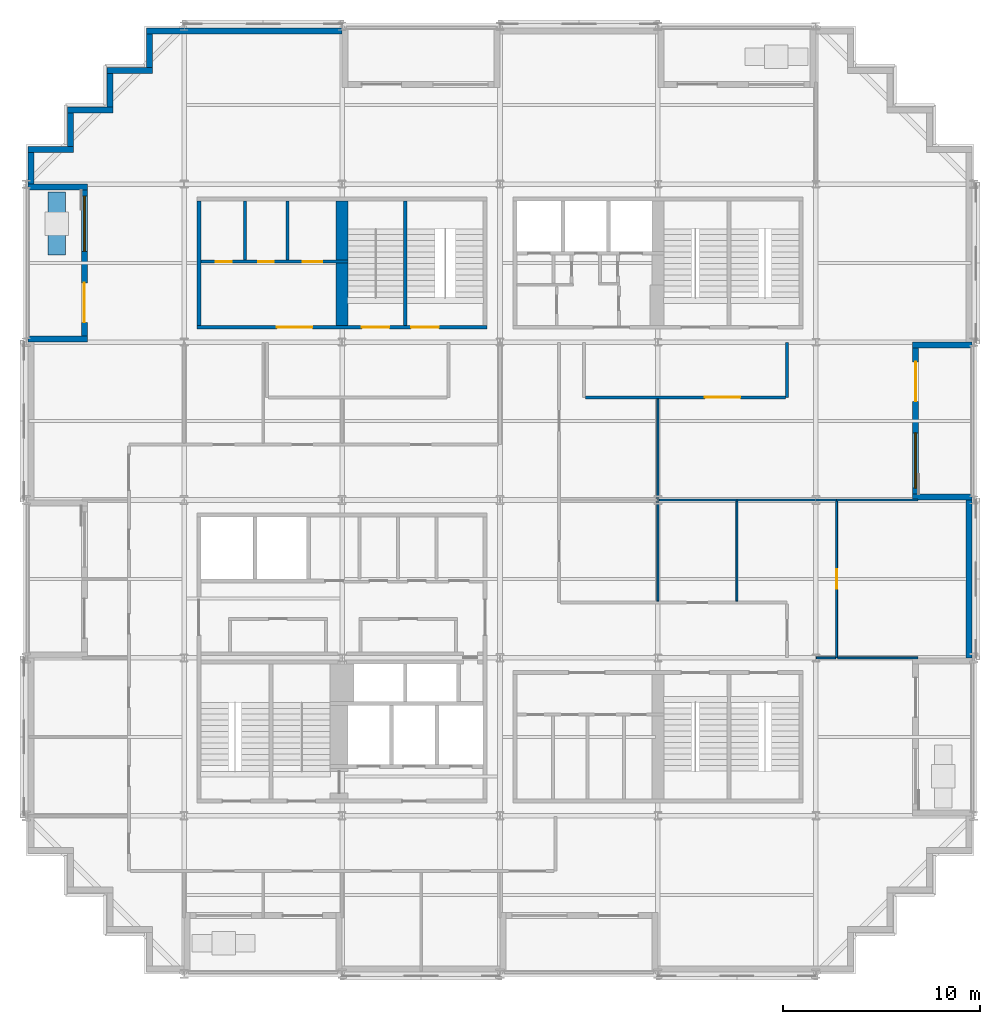
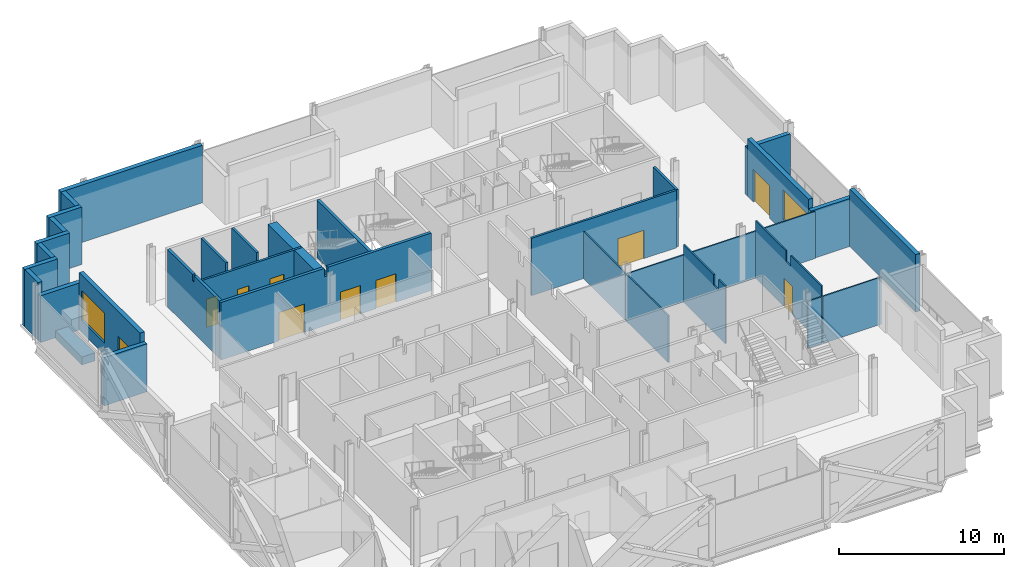
# One storey, part 9 of 15: 35 walls, 10 doors, 2 windows, 12 openings.
"""IFC4 building model written with IfcOpenShell, lengths in metres."""

from ifc_helpers import new_model, si_unit, direction, frame, frame_2d, origin, place, context, subcontext, project, spatial, polyline, rectangle, outline, extrude, material, layer, layer_set, type_object, element, fill, save


model = new_model("IFC4")

# Units and contexts
model_context = context("Model", 3, precision=1e-05, world=origin(), true_north=direction((0.0, 1.0)))
body_context = subcontext(model_context, "Body", "Model", "MODEL_VIEW")
ifc_project = project(units=[si_unit("LENGTHUNIT", "METRE"), si_unit("AREAUNIT", "SQUARE_METRE"), si_unit("VOLUMEUNIT", "CUBIC_METRE"), si_unit("PLANEANGLEUNIT", "RADIAN"), si_unit("MASSUNIT", "GRAM", prefix="KILO")], contexts=[model_context])

# Site, building, storey
site_placement = place(None, origin())
site = spatial("IfcSite", under=ifc_project, at=site_placement, CompositionType="ELEMENT")
building_placement = place(site_placement, origin())
building = spatial("IfcBuilding", under=site, at=building_placement, Name="Immortelle Media Tower", CompositionType="ELEMENT")
storey_placement = place(building_placement, frame((0.0, 0.0, 78.800048828125)))
storey = spatial("IfcBuildingStorey", under=building, at=storey_placement, Name="L14", CompositionType="ELEMENT", Elevation=78.800048828125)

# Wall, openings, doors
ifc_material_1 = material(Name="Fire-rated gypsum board", Category="gypsum")
ifc_layer_1 = layer(ifc_material_1, 0.02490234375)
ifc_material_2 = material(Name="Steel ASTM A653 SS Gr 50 stud frame with mineral wool", Category="steel")
ifc_layer_2 = layer(ifc_material_2, 0.10009765625)
ifc_layer_3 = layer(ifc_material_1, 0.02490234375)
ifc_layer_set_1 = layer_set([ifc_layer_1, ifc_layer_2, ifc_layer_3], Name="Steel ASTM A653 SS Gr 50 stud frame with mineral wool")
wall_type_1 = type_object("IfcWallType", Name="Core partition 150", PredefinedType="PARTITIONING", material=ifc_layer_set_1)
wall_1_placement = place(storey_placement, frame((8.85009765625, 36.074951171875, 0.0), z_axis=(0.0, 0.0, 1.0), x_axis=(1.0, 0.0, 0.0)))
wall_1 = element("IfcWall", 1, at=wall_1_placement, inside=storey, type_object=wall_type_1, Name="Core partition NW", PredefinedType="PARTITIONING", context=body_context, shape_type="SweptSolid", body=[
    extrude(rectangle(XDim=7.449951171875, YDim=0.14990234375, at=frame_2d((3.72509765625, 0.0))), origin(), (0.0, 0.0, 1.0), 3.6318359375),
])
opening_1_placement = place(wall_1_placement, frame((0.75, 0.0, 0.0)))
opening_1 = element("IfcOpeningElement", 2, at=opening_1_placement, cuts=wall_1, Name="Opening N4-K044", PredefinedType="OPENING", context=body_context, shape_type="SweptSolid", body=[
    extrude(rectangle(XDim=0.800048828125, YDim=2.10009765625, at=frame_2d((0.39990234375, 1.050048828125))), frame((0.0, 0.0849609375, 0.0), z_axis=(0.0, -1.0, 0.0), x_axis=(1.0, 0.0, 0.0)), (0.0, 0.0, 1.0), 0.169921875),
])
opening_2_placement = place(wall_1_placement, frame((2.89990234375, 0.0, 0.0)))
opening_2 = element("IfcOpeningElement", 3, at=opening_2_placement, cuts=wall_1, Name="Opening N4-K045", PredefinedType="OPENING", context=body_context, shape_type="SweptSolid", body=[
    extrude(rectangle(XDim=0.800048828125, YDim=2.10009765625, at=frame_2d((0.39990234375, 1.050048828125))), frame((0.0, 0.0849609375, 0.0), z_axis=(0.0, -1.0, 0.0), x_axis=(1.0, 0.0, 0.0)), (0.0, 0.0, 1.0), 0.169921875),
])
opening_3_placement = place(wall_1_placement, frame((5.14990234375, 0.0, 0.0)))
opening_3 = element("IfcOpeningElement", 4, at=opening_3_placement, cuts=wall_1, Name="Opening N4-K046", PredefinedType="OPENING", context=body_context, shape_type="SweptSolid", body=[
    extrude(rectangle(XDim=1.0, YDim=2.10009765625, at=frame_2d((0.5, 1.050048828125))), frame((0.0, 0.0849609375, 0.0), z_axis=(0.0, -1.0, 0.0), x_axis=(1.0, 0.0, 0.0)), (0.0, 0.0, 1.0), 0.169921875),
])
ifc_material_3 = material(Name="Timber", Category="wood")
door_type_1 = type_object("IfcDoorType", Name="Accessible toilet door 1000 x 2100", OperationType="NOTDEFINED", PredefinedType="NOTDEFINED", material=ifc_material_3)
door_1_placement = place(opening_3_placement, origin())
door_1 = element("IfcDoor", 5, at=door_1_placement, inside=storey, type_object=door_type_1, Name="Accessible toilet N4-K046", OperationType="SINGLE_SWING_LEFT", OverallHeight=2.10009765625, OverallWidth=1.0, PredefinedType="NOTDEFINED", context=body_context, shape_type="SweptSolid", body=[
    extrude(rectangle(XDim=1.0, YDim=2.10009765625, at=frame_2d((0.5, 1.050048828125))), frame((0.0, 0.02490234375, 0.0), z_axis=(0.0, -1.0, 0.0), x_axis=(1.0, 0.0, 0.0)), (0.0, 0.0, 1.0), 0.050048828125),
])
fill(opening_3, door_1)
door_type_2 = type_object("IfcDoorType", Name="Toilet door 800 x 2100", OperationType="NOTDEFINED", PredefinedType="NOTDEFINED", material=ifc_material_3)
door_2_placement = place(opening_1_placement, origin())
door_2 = element("IfcDoor", 6, at=door_2_placement, inside=storey, type_object=door_type_2, Name="Toilet N4-K044", OperationType="SINGLE_SWING_LEFT", OverallHeight=2.10009765625, OverallWidth=0.800048828125, PredefinedType="NOTDEFINED", context=body_context, shape_type="SweptSolid", body=[
    extrude(rectangle(XDim=0.800048828125, YDim=2.10009765625, at=frame_2d((0.39990234375, 1.050048828125))), frame((0.0, 0.02490234375, 0.0), z_axis=(0.0, -1.0, 0.0), x_axis=(1.0, 0.0, 0.0)), (0.0, 0.0, 1.0), 0.050048828125),
])
fill(opening_1, door_2)
door_3_placement = place(opening_2_placement, origin())
door_3 = element("IfcDoor", 7, at=door_3_placement, inside=storey, type_object=door_type_2, Name="Toilet N4-K045", OperationType="SINGLE_SWING_LEFT", OverallHeight=2.10009765625, OverallWidth=0.800048828125, PredefinedType="NOTDEFINED", context=body_context, shape_type="SweptSolid", body=[
    extrude(rectangle(XDim=0.800048828125, YDim=2.10009765625, at=frame_2d((0.39990234375, 1.050048828125))), frame((0.0, 0.02490234375, 0.0), z_axis=(0.0, -1.0, 0.0), x_axis=(1.0, 0.0, 0.0)), (0.0, 0.0, 1.0), 0.050048828125),
])
fill(opening_2, door_3)

# Walls
for number, where, z_axis, x_axis, name in (
    (8, (11.074951171875, 36.14990234375, 0.0), (0.0, 0.0, 1.0), (0.0, 1.0, 0.0), "Core partition NW"),
    (9, (13.22509765625, 36.14990234375, 0.0), (0.0, 0.0, 1.0), (0.0, 1.0, 0.0), "Core partition NW"),
):
    element("IfcWall", number, at=place(storey_placement, frame(where, z_axis=z_axis, x_axis=x_axis)), inside=storey, type_object=wall_type_1, Name=name, PredefinedType="PARTITIONING", context=body_context, shape_type="SweptSolid", body=[
        extrude(rectangle(XDim=3.0, YDim=0.14990234375, at=frame_2d((1.5, 0.0))), origin(), (0.0, 0.0, 1.0), 4.25),
    ])
ifc_layer_4 = layer(ifc_material_1, 0.03759765625)
ifc_layer_5 = layer(ifc_material_2, 0.125)
ifc_layer_6 = layer(ifc_material_1, 0.03759765625)
ifc_layer_set_2 = layer_set([ifc_layer_4, ifc_layer_5, ifc_layer_6], Name="Steel ASTM A653 SS Gr 50 stud frame with mineral wool")
wall_type_2 = type_object("IfcWallType", Name="Core shaft wall 200", PredefinedType="PARTITIONING", material=ifc_layer_set_2)
wall_2_placement = place(storey_placement, frame((8.75, 32.85009765625, 0.0), z_axis=(0.0, 0.0, 1.0), x_axis=(0.0, 1.0, 0.0)))
element("IfcWall", 10, at=wall_2_placement, inside=storey, type_object=wall_type_2, Name="Core shaft wall NW", PredefinedType="PARTITIONING", context=body_context, shape_type="SweptSolid", body=[
    extrude(outline(polyline([(0.0, 0.0), (6.2998046875, 0.0), (6.300048828125, 4.25), (3.2314453125, 4.25), (3.23046875, 3.7890625), (3.069580078125, 3.7890625), (3.068603515625, 4.25), (0.0, 4.25), (0.0, 0.0)])), frame((0.0, 0.10009765625, 0.0), z_axis=(0.0, -1.0, 0.0), x_axis=(1.0, 0.0, 0.0)), (0.0, 0.0, 1.0), 0.199951171875),
])

# Wall, opening, door
ifc_layer_7 = layer(ifc_material_1, 0.012451171875)
ifc_layer_8 = layer(ifc_material_2, 0.125)
ifc_layer_9 = layer(ifc_material_1, 0.012451171875)
ifc_layer_set_3 = layer_set([ifc_layer_7, ifc_layer_8, ifc_layer_9], Name="Steel ASTM A653 SS Gr 50 stud frame with mineral wool")
wall_type_3 = type_object("IfcWallType", Name="Corridor wall 150", PredefinedType="PARTITIONING", material=ifc_layer_set_3)
wall_3_placement = place(storey_placement, frame((28.324951171875, 29.199951171875, 0.0), z_axis=(0.0, 0.0, 1.0), x_axis=(1.0, 0.0, 0.0)))
wall_3 = element("IfcWall", 11, at=wall_3_placement, inside=storey, type_object=wall_type_3, Name="Partition L14-035", PredefinedType="PARTITIONING", context=body_context, shape_type="SweptSolid", body=[
    extrude(rectangle(XDim=10.150146484375, YDim=0.14990234375, at=frame_2d((5.0751953125, 0.0))), origin(), (0.0, 0.0, 1.0), 4.25),
])
opening_4_placement = place(wall_3_placement, frame((6.050048828125, 0.0, 0.0)))
opening_4 = element("IfcOpeningElement", 12, at=opening_4_placement, cuts=wall_3, Name="Opening N4-F019", PredefinedType="OPENING", context=body_context, shape_type="SweptSolid", body=[
    extrude(rectangle(XDim=1.800048828125, YDim=2.10009765625, at=frame_2d((0.89990234375, 1.050048828125))), frame((0.0, 0.0849609375, 0.0), z_axis=(0.0, -1.0, 0.0), x_axis=(1.0, 0.0, 0.0)), (0.0, 0.0, 1.0), 0.169921875),
])
ifc_material_4 = material(Name="Timber veneered door leaf, galvanised steel frame ASTM A653", Category="steel")
door_type_3 = type_object("IfcDoorType", Name="Room door 1800 x 2100", OperationType="DOUBLE_DOOR_SINGLE_SWING", PredefinedType="DOOR", material=ifc_material_4)
door_4_placement = place(opening_4_placement, origin())
door_4 = element("IfcDoor", 13, at=door_4_placement, inside=storey, type_object=door_type_3, Name="Door N4-F019", OperationType="DOUBLE_DOOR_SINGLE_SWING", OverallHeight=2.10009765625, OverallWidth=1.800048828125, PredefinedType="DOOR", context=body_context, shape_type="SweptSolid", body=[
    extrude(rectangle(XDim=1.800048828125, YDim=2.10009765625, at=frame_2d((0.89990234375, 1.050048828125))), frame((0.0, 0.02490234375, 0.0), z_axis=(0.0, -1.0, 0.0), x_axis=(1.0, 0.0, 0.0)), (0.0, 0.0, 1.0), 0.050048828125),
])
fill(opening_4, door_4)

# Walls
wall_4_placement = place(storey_placement, frame((38.550048828125, 29.199951171875, 0.0), z_axis=(0.0, 0.0, 1.0), x_axis=(0.0, 1.0, 0.0)))
element("IfcWall", 14, at=wall_4_placement, inside=storey, type_object=wall_type_3, Name="Partition L14-037", PredefinedType="PARTITIONING", context=body_context, shape_type="SweptSolid", body=[
    extrude(rectangle(XDim=2.77001953125, YDim=0.14990234375, at=frame_2d((1.385009765625, 0.0))), origin(), (0.0, 0.0, 1.0), 4.25),
])
ifc_material_5 = material(Name="Pale aluminium cladding panel", Category="aluminium")
ifc_layer_10 = layer(ifc_material_5, 0.030029296875)
ifc_layer_11 = layer(ifc_material_2, 0.257568359375)
ifc_material_6 = material(Name="Moisture-resistant gypsum board", Category="gypsum")
ifc_layer_12 = layer(ifc_material_6, 0.012451171875)
ifc_layer_set_4 = layer_set([ifc_layer_10, ifc_layer_11, ifc_layer_12], Name="Steel ASTM A653 SS Gr 50 stud frame with mineral wool")
wall_type_4 = type_object("IfcWallType", Name="Facade wall 300", PredefinedType="SOLIDWALL", material=ifc_layer_set_4)
wall_5_placement = place(storey_placement, frame((0.25, 41.60009765625, 0.0), z_axis=(0.0, 0.0, 1.0), x_axis=(0.0, -1.0, 0.0)))
element("IfcWall", 15, at=wall_5_placement, inside=storey, type_object=wall_type_4, Name="Facade wall L14 W0", PredefinedType="SOLIDWALL", context=body_context, shape_type="SweptSolid", body=[
    extrude(rectangle(XDim=1.60009765625, YDim=0.300048828125, at=frame_2d((0.800048828125, 0.0))), origin(), (0.0, 0.0, 1.0), 4.25),
])

# Wall, openings, door, window
wall_6_placement = place(storey_placement, frame((2.949951171875, 39.699951171875, 0.0), z_axis=(0.0, 0.0, 1.0), x_axis=(0.0, -1.0, 0.0)))
wall_6 = element("IfcWall", 16, at=wall_6_placement, inside=storey, type_object=wall_type_4, Name="Loggia wall L14 W0", PredefinedType="SOLIDWALL", context=body_context, shape_type="SweptSolid", body=[
    extrude(rectangle(XDim=7.39990234375, YDim=0.300048828125, at=frame_2d((3.699951171875, 0.0))), origin(), (0.0, 0.0, 1.0), 4.25),
])
opening_5_placement = place(wall_6_placement, frame((0.300048828125, 0.0, 0.89990234375)))
opening_5 = element("IfcOpeningElement", 17, at=opening_5_placement, cuts=wall_6, Name="Opening W1", PredefinedType="OPENING", context=body_context, shape_type="SweptSolid", body=[
    extrude(rectangle(XDim=2.800048828125, YDim=2.199951171875, at=frame_2d((1.39990234375, 1.10009765625))), frame((0.0, 0.159912109375, 0.0), z_axis=(0.0, -1.0, 0.0), x_axis=(1.0, 0.0, 0.0)), (0.0, 0.0, 1.0), 0.320068359375),
])
opening_6_placement = place(wall_6_placement, frame((4.699951171875, 0.0, 0.0)))
opening_6 = element("IfcOpeningElement", 18, at=opening_6_placement, cuts=wall_6, Name="Opening N4-E001", PredefinedType="OPENING", context=body_context, shape_type="SweptSolid", body=[
    extrude(rectangle(XDim=2.0, YDim=2.39990234375, at=frame_2d((1.0, 1.199951171875))), frame((0.0, 0.159912109375, 0.0), z_axis=(0.0, -1.0, 0.0), x_axis=(1.0, 0.0, 0.0)), (0.0, 0.0, 1.0), 0.320068359375),
])
ifc_material_7 = material(Name="Aluminium frame, glazed leaves", Category="aluminium")
door_type_4 = type_object("IfcDoorType", Name="Loggia door 2000 x 2400", OperationType="DOUBLE_DOOR_SINGLE_SWING", PredefinedType="DOOR", material=ifc_material_7)
door_5_placement = place(opening_6_placement, origin())
door_5 = element("IfcDoor", 19, at=door_5_placement, inside=storey, type_object=door_type_4, Name="Door N4-E001", OperationType="DOUBLE_DOOR_SINGLE_SWING", OverallHeight=2.39990234375, OverallWidth=2.0, PredefinedType="DOOR", context=body_context, shape_type="SweptSolid", body=[
    extrude(rectangle(XDim=2.0, YDim=2.39990234375, at=frame_2d((1.0, 1.199951171875))), frame((0.0, 0.02490234375, 0.0), z_axis=(0.0, -1.0, 0.0), x_axis=(1.0, 0.0, 0.0)), (0.0, 0.0, 1.0), 0.050048828125),
])
fill(opening_6, door_5)
ifc_material_8 = material(Name="Aluminium frame", Category="aluminium")
window_type = type_object("IfcWindowType", Name="Window 2800 x 2200", PartitioningType="SINGLE_PANEL", PredefinedType="WINDOW", material=ifc_material_8)
window_1_placement = place(opening_5_placement, origin())
window_1 = element("IfcWindow", 20, at=window_1_placement, inside=storey, type_object=window_type, Name="Window L14 L14-R0-B0", OverallHeight=2.199951171875, OverallWidth=2.800048828125, PartitioningType="SINGLE_PANEL", PredefinedType="WINDOW", context=body_context, shape_type="SweptSolid", body=[
    extrude(rectangle(XDim=2.800048828125, YDim=2.199951171875, at=frame_2d((1.39990234375, 1.10009765625))), frame((0.0, 0.030029296875, 0.0), z_axis=(0.0, -1.0, 0.0), x_axis=(1.0, 0.0, 0.0)), (0.0, 0.0, 1.0), 0.06005859375),
])
fill(opening_5, window_1)

# Walls
wall_7_placement = place(storey_placement, frame((0.10009765625, 39.85009765625, 0.0), z_axis=(0.0, 0.0, 1.0), x_axis=(1.0, 0.0, 0.0)))
element("IfcWall", 21, at=wall_7_placement, inside=storey, type_object=wall_type_4, Name="Loggia cheek wall L14 W", PredefinedType="SOLIDWALL", context=body_context, shape_type="SweptSolid", body=[
    extrude(rectangle(XDim=3.0, YDim=0.300048828125, at=frame_2d((1.5, 0.0))), origin(), (0.0, 0.0, 1.0), 3.468994140625),
])
wall_8_placement = place(storey_placement, frame((0.10009765625, 32.14990234375, 0.0), z_axis=(0.0, 0.0, 1.0), x_axis=(1.0, 0.0, 0.0)))
element("IfcWall", 22, at=wall_8_placement, inside=storey, type_object=wall_type_4, Name="Loggia cheek wall L14 W", PredefinedType="SOLIDWALL", context=body_context, shape_type="SweptSolid", body=[
    extrude(rectangle(XDim=3.0, YDim=0.300048828125, at=frame_2d((1.5, 0.0))), origin(), (0.0, 0.0, 1.0), 3.555908203125),
])
wall_9_placement = place(storey_placement, frame((47.75, 16.0, 0.0), z_axis=(0.0, 0.0, 1.0), x_axis=(0.0, 1.0, 0.0)))
element("IfcWall", 23, at=wall_9_placement, inside=storey, type_object=wall_type_4, Name="Facade wall L14 E14", PredefinedType="SOLIDWALL", context=body_context, shape_type="SweptSolid", body=[
    extrude(rectangle(XDim=8.0, YDim=0.300048828125, at=frame_2d((4.0, 0.0))), origin(), (0.0, 0.0, 1.0), 4.25),
])

# Wall, openings, door, window
wall_10_placement = place(storey_placement, frame((45.050048828125, 24.300048828125, 0.0), z_axis=(0.0, 0.0, 1.0), x_axis=(0.0, 1.0, 0.0)))
wall_10 = element("IfcWall", 24, at=wall_10_placement, inside=storey, type_object=wall_type_4, Name="Loggia wall L14 E14", PredefinedType="SOLIDWALL", context=body_context, shape_type="SweptSolid", body=[
    extrude(rectangle(XDim=7.39990234375, YDim=0.300048828125, at=frame_2d((3.699951171875, 0.0))), origin(), (0.0, 0.0, 1.0), 4.25),
])
opening_7_placement = place(wall_10_placement, frame((0.300048828125, 0.0, 0.89990234375)))
opening_7 = element("IfcOpeningElement", 25, at=opening_7_placement, cuts=wall_10, Name="Opening W1", PredefinedType="OPENING", context=body_context, shape_type="SweptSolid", body=[
    extrude(rectangle(XDim=2.800048828125, YDim=2.199951171875, at=frame_2d((1.39990234375, 1.10009765625))), frame((0.0, 0.159912109375, 0.0), z_axis=(0.0, -1.0, 0.0), x_axis=(1.0, 0.0, 0.0)), (0.0, 0.0, 1.0), 0.320068359375),
])
opening_8_placement = place(wall_10_placement, frame((4.699951171875, 0.0, 0.0)))
opening_8 = element("IfcOpeningElement", 26, at=opening_8_placement, cuts=wall_10, Name="Opening N4-E006", PredefinedType="OPENING", context=body_context, shape_type="SweptSolid", body=[
    extrude(rectangle(XDim=2.0, YDim=2.39990234375, at=frame_2d((1.0, 1.199951171875))), frame((0.0, 0.159912109375, 0.0), z_axis=(0.0, -1.0, 0.0), x_axis=(1.0, 0.0, 0.0)), (0.0, 0.0, 1.0), 0.320068359375),
])
door_6_placement = place(opening_8_placement, origin())
door_6 = element("IfcDoor", 27, at=door_6_placement, inside=storey, type_object=door_type_4, Name="Door N4-E006", OperationType="DOUBLE_DOOR_SINGLE_SWING", OverallHeight=2.39990234375, OverallWidth=2.0, PredefinedType="DOOR", context=body_context, shape_type="SweptSolid", body=[
    extrude(rectangle(XDim=2.0, YDim=2.39990234375, at=frame_2d((1.0, 1.199951171875))), frame((0.0, 0.02490234375, 0.0), z_axis=(0.0, -1.0, 0.0), x_axis=(1.0, 0.0, 0.0)), (0.0, 0.0, 1.0), 0.050048828125),
])
fill(opening_8, door_6)
window_2_placement = place(opening_7_placement, origin())
window_2 = element("IfcWindow", 28, at=window_2_placement, inside=storey, type_object=window_type, Name="Window L14 L14-R14-B2", OverallHeight=2.199951171875, OverallWidth=2.800048828125, PartitioningType="SINGLE_PANEL", PredefinedType="WINDOW", context=body_context, shape_type="SweptSolid", body=[
    extrude(rectangle(XDim=2.800048828125, YDim=2.199951171875, at=frame_2d((1.39990234375, 1.10009765625))), frame((0.0, 0.030029296875, 0.0), z_axis=(0.0, -1.0, 0.0), x_axis=(1.0, 0.0, 0.0)), (0.0, 0.0, 1.0), 0.06005859375),
])
fill(opening_7, window_2)

# Walls
for number, where, z_axis, x_axis, name in (
    (29, (47.89990234375, 24.14990234375, 0.0), (0.0, 0.0, 1.0), (-1.0, 0.0, 0.0), "Loggia cheek wall L14 E"),
    (30, (47.89990234375, 31.85009765625, 0.0), (0.0, 0.0, 1.0), (-1.0, 0.0, 0.0), "Loggia cheek wall L14 E"),
):
    element("IfcWall", number, at=place(storey_placement, frame(where, z_axis=z_axis, x_axis=x_axis)), inside=storey, type_object=wall_type_4, Name=name, PredefinedType="SOLIDWALL", context=body_context, shape_type="SweptSolid", body=[
        extrude(rectangle(XDim=3.0, YDim=0.300048828125, at=frame_2d((1.5, 0.0))), origin(), (0.0, 0.0, 1.0), 3.555908203125),
    ])
wall_11_placement = place(storey_placement, frame((16.0, 47.75, 0.0), z_axis=(0.0, 0.0, 1.0), x_axis=(-1.0, 0.0, 0.0)))
element("IfcWall", 31, at=wall_11_placement, inside=storey, type_object=wall_type_4, Name="Facade wall L14 N21", PredefinedType="SOLIDWALL", context=body_context, shape_type="SweptSolid", body=[
    extrude(rectangle(XDim=9.89990234375, YDim=0.300048828125, at=frame_2d((4.949951171875, 0.0))), origin(), (0.0, 0.0, 1.0), 4.25),
])
wall_12_placement = place(storey_placement, frame((6.25, 47.60009765625, 0.0), z_axis=(0.0, 0.0, 1.0), x_axis=(0.0, -1.0, 0.0)))
element("IfcWall", 32, at=wall_12_placement, inside=storey, type_object=wall_type_4, Name="Facade wall L14 W22", PredefinedType="SOLIDWALL", context=body_context, shape_type="SweptSolid", body=[
    extrude(rectangle(XDim=1.7001953125, YDim=0.300048828125, at=frame_2d((0.85009765625, 0.0))), origin(), (0.0, 0.0, 1.0), 4.25),
])
wall_13_placement = place(storey_placement, frame((6.39990234375, 45.75, 0.0), z_axis=(0.0, 0.0, 1.0), x_axis=(-1.0, 0.0, 0.0)))
element("IfcWall", 33, at=wall_13_placement, inside=storey, type_object=wall_type_4, Name="Facade wall L14 N23", PredefinedType="SOLIDWALL", context=body_context, shape_type="SweptSolid", body=[
    extrude(rectangle(XDim=2.2998046875, YDim=0.300048828125, at=frame_2d((1.14990234375, 0.0))), origin(), (0.0, 0.0, 1.0), 4.25),
])
wall_14_placement = place(storey_placement, frame((4.25, 45.60009765625, 0.0), z_axis=(0.0, 0.0, 1.0), x_axis=(0.0, -1.0, 0.0)))
element("IfcWall", 34, at=wall_14_placement, inside=storey, type_object=wall_type_4, Name="Facade wall L14 W24", PredefinedType="SOLIDWALL", context=body_context, shape_type="SweptSolid", body=[
    extrude(rectangle(XDim=1.7001953125, YDim=0.300048828125, at=frame_2d((0.85009765625, 0.0))), origin(), (0.0, 0.0, 1.0), 4.25),
])
wall_15_placement = place(storey_placement, frame((4.39990234375, 43.75, 0.0), z_axis=(0.0, 0.0, 1.0), x_axis=(-1.0, 0.0, 0.0)))
element("IfcWall", 35, at=wall_15_placement, inside=storey, type_object=wall_type_4, Name="Facade wall L14 N25", PredefinedType="SOLIDWALL", context=body_context, shape_type="SweptSolid", body=[
    extrude(rectangle(XDim=2.2998046875, YDim=0.300048828125, at=frame_2d((1.14990234375, 0.0))), origin(), (0.0, 0.0, 1.0), 4.25),
])
wall_16_placement = place(storey_placement, frame((2.25, 43.60009765625, 0.0), z_axis=(0.0, 0.0, 1.0), x_axis=(0.0, -1.0, 0.0)))
element("IfcWall", 36, at=wall_16_placement, inside=storey, type_object=wall_type_4, Name="Facade wall L14 W26", PredefinedType="SOLIDWALL", context=body_context, shape_type="SweptSolid", body=[
    extrude(rectangle(XDim=1.7001953125, YDim=0.300048828125, at=frame_2d((0.85009765625, 0.0))), origin(), (0.0, 0.0, 1.0), 4.25),
])
wall_17_placement = place(storey_placement, frame((2.39990234375, 41.75, 0.0), z_axis=(0.0, 0.0, 1.0), x_axis=(-1.0, 0.0, 0.0)))
element("IfcWall", 37, at=wall_17_placement, inside=storey, type_object=wall_type_4, Name="Facade wall L14 N27", PredefinedType="SOLIDWALL", context=body_context, shape_type="SweptSolid", body=[
    extrude(rectangle(XDim=2.2998046875, YDim=0.300048828125, at=frame_2d((1.14990234375, 0.0))), origin(), (0.0, 0.0, 1.0), 4.25),
])
ifc_material_9 = material(Name="Gypsum board", Category="gypsum")
ifc_layer_13 = layer(ifc_material_9, 0.012451171875)
ifc_layer_14 = layer(ifc_material_2, 0.074951171875)
ifc_layer_15 = layer(ifc_material_9, 0.012451171875)
ifc_layer_set_5 = layer_set([ifc_layer_13, ifc_layer_14, ifc_layer_15], Name="Steel ASTM A653 SS Gr 50 stud frame with mineral wool")
wall_type_5 = type_object("IfcWallType", Name="Partition 100", PredefinedType="PARTITIONING", material=ifc_layer_set_5)
wall_18_placement = place(storey_placement, frame((40.030029296875, 16.0, 0.0), z_axis=(0.0, 0.0, 1.0), x_axis=(1.0, 0.0, 0.0)))
element("IfcWall", 38, at=wall_18_placement, inside=storey, type_object=wall_type_5, Name="Partition L14-012", PredefinedType="PARTITIONING", context=body_context, shape_type="SweptSolid", body=[
    extrude(rectangle(XDim=0.969970703125, YDim=0.10009765625, at=frame_2d((0.48486328125, 0.0))), origin(), (0.0, 0.0, 1.0), 3.469970703125),
])
wall_19_placement = place(storey_placement, frame((41.10009765625, 16.0, 0.0), z_axis=(0.0, 0.0, 1.0), x_axis=(1.0, 0.0, 0.0)))
element("IfcWall", 39, at=wall_19_placement, inside=storey, type_object=wall_type_5, Name="Partition L14-013", PredefinedType="PARTITIONING", context=body_context, shape_type="SweptSolid", body=[
    extrude(rectangle(XDim=4.06982421875, YDim=0.10009765625, at=frame_2d((2.034912109375, 0.0))), origin(), (0.0, 0.0, 1.0), 3.469970703125),
])

# Wall, opening, door
wall_20_placement = place(storey_placement, frame((41.050048828125, 16.0, 0.0), z_axis=(0.0, 0.0, 1.0), x_axis=(0.0, 1.0, 0.0)))
wall_20 = element("IfcWall", 40, at=wall_20_placement, inside=storey, type_object=wall_type_5, Name="Partition L14-014", PredefinedType="PARTITIONING", context=body_context, shape_type="SweptSolid", body=[
    extrude(outline(polyline([(0.0, 0.0), (7.949951171875, 0.0), (7.949951171875, 4.25), (4.300048828125, 4.25), (4.298095703125, 3.469970703125), (3.701904296875, 3.469970703125), (3.699951171875, 4.25), (0.0, 4.25), (0.0, 0.0)])), frame((0.0, 0.050048828125, 0.0), z_axis=(0.0, -1.0, 0.0), x_axis=(1.0, 0.0, 0.0)), (0.0, 0.0, 1.0), 0.10009765625),
])
opening_9_placement = place(wall_20_placement, frame((3.5, 0.0, 0.0)))
opening_9 = element("IfcOpeningElement", 41, at=opening_9_placement, cuts=wall_20, Name="Opening N4-F013", PredefinedType="OPENING", context=body_context, shape_type="SweptSolid", body=[
    extrude(rectangle(XDim=1.0, YDim=2.10009765625, at=frame_2d((0.5, 1.050048828125))), frame((0.0, 0.06005859375, 0.0), z_axis=(0.0, -1.0, 0.0), x_axis=(1.0, 0.0, 0.0)), (0.0, 0.0, 1.0), 0.1201171875),
])
door_type_5 = type_object("IfcDoorType", Name="Room door 1000 x 2100", OperationType="NOTDEFINED", PredefinedType="DOOR", material=ifc_material_4)
door_7_placement = place(opening_9_placement, origin())
door_7 = element("IfcDoor", 42, at=door_7_placement, inside=storey, type_object=door_type_5, Name="Door N4-F013", OperationType="SINGLE_SWING_LEFT", OverallHeight=2.10009765625, OverallWidth=1.0, PredefinedType="DOOR", context=body_context, shape_type="SweptSolid", body=[
    extrude(rectangle(XDim=1.0, YDim=2.10009765625, at=frame_2d((0.5, 1.050048828125))), frame((0.0, 0.02490234375, 0.0), z_axis=(0.0, -1.0, 0.0), x_axis=(1.0, 0.0, 0.0)), (0.0, 0.0, 1.0), 0.050048828125),
])
fill(opening_9, door_7)

# Walls
wall_21_placement = place(storey_placement, frame((32.0, 18.875, 0.0), z_axis=(0.0, 0.0, 1.0), x_axis=(0.0, 1.0, 0.0)))
element("IfcWall", 43, at=wall_21_placement, inside=storey, type_object=wall_type_5, Name="Partition L14-018", PredefinedType="PARTITIONING", context=body_context, shape_type="SweptSolid", body=[
    extrude(rectangle(XDim=5.074951171875, YDim=0.10009765625, at=frame_2d((2.53759765625, 0.0))), origin(), (0.0, 0.0, 1.0), 3.469970703125),
])
wall_22_placement = place(storey_placement, frame((36.0, 18.875, 0.0), z_axis=(0.0, 0.0, 1.0), x_axis=(0.0, 1.0, 0.0)))
element("IfcWall", 44, at=wall_22_placement, inside=storey, type_object=wall_type_5, Name="Partition L14-019", PredefinedType="PARTITIONING", context=body_context, shape_type="SweptSolid", body=[
    extrude(outline(polyline([(0.0, 0.0), (5.074951171875, 0.0), (5.074951171875, 4.25), (1.425048828125, 4.25), (1.423095703125, 3.469970703125), (0.826904296875, 3.469970703125), (0.824951171875, 4.25), (0.0, 4.25), (0.0, 0.0)])), frame((0.0, 0.050048828125, 0.0), z_axis=(0.0, -1.0, 0.0), x_axis=(1.0, 0.0, 0.0)), (0.0, 0.0, 1.0), 0.10009765625),
])
wall_23_placement = place(storey_placement, frame((32.050048828125, 24.0, 0.0), z_axis=(0.0, 0.0, 1.0), x_axis=(1.0, 0.0, 0.0)))
element("IfcWall", 45, at=wall_23_placement, inside=storey, type_object=wall_type_5, Name="Partition L14-023", PredefinedType="PARTITIONING", context=body_context, shape_type="SweptSolid", body=[
    extrude(rectangle(XDim=3.949951171875, YDim=0.10009765625, at=frame_2d((1.97509765625, 0.0))), origin(), (0.0, 0.0, 1.0), 3.469970703125),
])
wall_24_placement = place(storey_placement, frame((32.0, 24.0, 0.0), z_axis=(0.0, 0.0, 1.0), x_axis=(0.0, 1.0, 0.0)))
element("IfcWall", 46, at=wall_24_placement, inside=storey, type_object=wall_type_5, Name="Partition L14-024", PredefinedType="PARTITIONING", context=body_context, shape_type="SweptSolid", body=[
    extrude(rectangle(XDim=5.125, YDim=0.10009765625, at=frame_2d((2.5625, 0.0))), origin(), (0.0, 0.0, 1.0), 3.469970703125),
])
wall_25_placement = place(storey_placement, frame((36.0, 24.0, 0.0), z_axis=(0.0, 0.0, 1.0), x_axis=(1.0, 0.0, 0.0)))
element("IfcWall", 47, at=wall_25_placement, inside=storey, type_object=wall_type_5, Name="Partition L14-025", PredefinedType="PARTITIONING", context=body_context, shape_type="SweptSolid", body=[
    extrude(rectangle(XDim=5.050048828125, YDim=0.10009765625, at=frame_2d((2.52490234375, 0.0))), origin(), (0.0, 0.0, 1.0), 3.469970703125),
])
wall_26_placement = place(storey_placement, frame((41.050048828125, 24.0, 0.0), z_axis=(0.0, 0.0, 1.0), x_axis=(1.0, 0.0, 0.0)))
element("IfcWall", 48, at=wall_26_placement, inside=storey, type_object=wall_type_5, Name="Partition L14-026", PredefinedType="PARTITIONING", context=body_context, shape_type="SweptSolid", body=[
    extrude(rectangle(XDim=4.119873046875, YDim=0.10009765625, at=frame_2d((2.06005859375, 0.0))), origin(), (0.0, 0.0, 1.0), 3.469970703125),
])
ifc_layer_16 = layer(ifc_material_5, 0.0029296875)
ifc_material_10 = material(Name="Steel ASTM A572 Gr 50 planter shell", Category="steel")
ifc_layer_17 = layer(ifc_material_10, 0.011962890625)
ifc_material_11 = material(Name="Planting substrate", Category="soil")
ifc_layer_18 = layer(ifc_material_11, 0.873046875)
ifc_layer_19 = layer(ifc_material_10, 0.011962890625)
ifc_layer_set_6 = layer_set([ifc_layer_16, ifc_layer_17, ifc_layer_18, ifc_layer_19], Name="Steel ASTM A572 Gr 50 planter shell")
wall_type_6 = type_object("IfcWallType", Name="Planter wall 900", PredefinedType="SOLIDWALL", material=ifc_layer_set_6)
wall_27_placement = place(storey_placement, frame((1.550048828125, 39.60009765625, 0.0), z_axis=(0.0, 0.0, 1.0), x_axis=(0.0, -1.0, 0.0)))
element("IfcWall", 49, at=wall_27_placement, inside=storey, type_object=wall_type_6, Name="Planter L14 W0", PredefinedType="SOLIDWALL", context=body_context, shape_type="SweptSolid", body=[
    extrude(rectangle(XDim=3.2001953125, YDim=0.89990234375, at=frame_2d((1.60009765625, 0.0))), origin(), (0.0, 0.0, 1.0), 0.599853515625),
])

# Wall, openings, doors
ifc_material_12 = material(Name="Concrete C60", Category="concrete")
ifc_layer_20 = layer(ifc_material_12, 0.199951171875)
ifc_layer_set_7 = layer_set([ifc_layer_20], Name="Concrete C60")
wall_type_7 = type_object("IfcWallType", Name="Stair shaft wall 200", PredefinedType="PARTITIONING", material=ifc_layer_set_7)
wall_28_placement = place(storey_placement, frame((8.64990234375, 32.75, 0.0), z_axis=(0.0, 0.0, 1.0), x_axis=(1.0, 0.0, 0.0)))
wall_28 = element("IfcWall", 50, at=wall_28_placement, inside=storey, type_object=wall_type_7, Name="Stair shaft wall NW", PredefinedType="PARTITIONING", context=body_context, shape_type="SweptSolid", body=[
    extrude(outline(polyline([(0.0, 0.0), (14.7001953125, 0.0), (14.699951171875, 4.25), (7.469482421875, 4.25), (7.468505859375, 3.6318359375), (7.2314453125, 3.6318359375), (7.23046875, 4.25), (0.0, 4.25), (0.0, 0.0)])), frame((0.0, 0.10009765625, 0.0), z_axis=(0.0, -1.0, 0.0), x_axis=(1.0, 0.0, 0.0)), (0.0, 0.0, 1.0), 0.199951171875),
])
opening_10_placement = place(wall_28_placement, frame((4.050048828125, 0.0, 0.0)))
opening_10 = element("IfcOpeningElement", 51, at=opening_10_placement, cuts=wall_28, Name="Opening N4-K023", PredefinedType="OPENING", context=body_context, shape_type="SweptSolid", body=[
    extrude(rectangle(XDim=1.800048828125, YDim=2.10009765625, at=frame_2d((0.89990234375, 1.050048828125))), frame((0.0, 0.10986328125, 0.0), z_axis=(0.0, -1.0, 0.0), x_axis=(1.0, 0.0, 0.0)), (0.0, 0.0, 1.0), 0.219970703125),
])
opening_11_placement = place(wall_28_placement, frame((8.35009765625, 0.0, 0.0)))
opening_11 = element("IfcOpeningElement", 52, at=opening_11_placement, cuts=wall_28, Name="Opening N4-K025", PredefinedType="OPENING", context=body_context, shape_type="SweptSolid", body=[
    extrude(rectangle(XDim=1.39990234375, YDim=2.10009765625, at=frame_2d((0.699951171875, 1.050048828125))), frame((0.0, 0.10986328125, 0.0), z_axis=(0.0, -1.0, 0.0), x_axis=(1.0, 0.0, 0.0)), (0.0, 0.0, 1.0), 0.219970703125),
])
opening_12_placement = place(wall_28_placement, frame((10.85009765625, 0.0, 0.0)))
opening_12 = element("IfcOpeningElement", 53, at=opening_12_placement, cuts=wall_28, Name="Opening N4-K026", PredefinedType="OPENING", context=body_context, shape_type="SweptSolid", body=[
    extrude(rectangle(XDim=1.39990234375, YDim=2.10009765625, at=frame_2d((0.699951171875, 1.050048828125))), frame((0.0, 0.10986328125, 0.0), z_axis=(0.0, -1.0, 0.0), x_axis=(1.0, 0.0, 0.0)), (0.0, 0.0, 1.0), 0.219970703125),
])
ifc_material_13 = material(Name="Galvanised steel door leaf and frame ASTM A653", Category="steel")
door_type_6 = type_object("IfcDoorType", Name="Lift lobby door 1800 x 2100", OperationType="DOUBLE_DOOR_SINGLE_SWING", PredefinedType="NOTDEFINED", material=ifc_material_13)
door_8_placement = place(opening_10_placement, origin())
door_8 = element("IfcDoor", 54, at=door_8_placement, inside=storey, type_object=door_type_6, Name="Lift lobby N4-K023", OperationType="DOUBLE_DOOR_SINGLE_SWING", OverallHeight=2.10009765625, OverallWidth=1.800048828125, PredefinedType="NOTDEFINED", context=body_context, shape_type="SweptSolid", body=[
    extrude(rectangle(XDim=1.800048828125, YDim=2.10009765625, at=frame_2d((0.89990234375, 1.050048828125))), frame((0.0, 0.02490234375, 0.0), z_axis=(0.0, -1.0, 0.0), x_axis=(1.0, 0.0, 0.0)), (0.0, 0.0, 1.0), 0.050048828125),
])
fill(opening_10, door_8)
door_type_7 = type_object("IfcDoorType", Name="Stair door 1400 x 2100", OperationType="DOUBLE_DOOR_SINGLE_SWING", PredefinedType="NOTDEFINED", material=ifc_material_13)
door_9_placement = place(opening_11_placement, origin())
door_9 = element("IfcDoor", 55, at=door_9_placement, inside=storey, type_object=door_type_7, Name="Stair N4-K025", OperationType="DOUBLE_DOOR_SINGLE_SWING", OverallHeight=2.10009765625, OverallWidth=1.39990234375, PredefinedType="NOTDEFINED", context=body_context, shape_type="SweptSolid", body=[
    extrude(rectangle(XDim=1.39990234375, YDim=2.10009765625, at=frame_2d((0.699951171875, 1.050048828125))), frame((0.0, 0.02490234375, 0.0), z_axis=(0.0, -1.0, 0.0), x_axis=(1.0, 0.0, 0.0)), (0.0, 0.0, 1.0), 0.050048828125),
])
fill(opening_11, door_9)
door_10_placement = place(opening_12_placement, origin())
door_10 = element("IfcDoor", 56, at=door_10_placement, inside=storey, type_object=door_type_7, Name="Stair N4-K026", OperationType="DOUBLE_DOOR_SINGLE_SWING", OverallHeight=2.10009765625, OverallWidth=1.39990234375, PredefinedType="NOTDEFINED", context=body_context, shape_type="SweptSolid", body=[
    extrude(rectangle(XDim=1.39990234375, YDim=2.10009765625, at=frame_2d((0.699951171875, 1.050048828125))), frame((0.0, 0.02490234375, 0.0), z_axis=(0.0, -1.0, 0.0), x_axis=(1.0, 0.0, 0.0)), (0.0, 0.0, 1.0), 0.050048828125),
])
fill(opening_12, door_10)

# Walls
wall_29_placement = place(storey_placement, frame((19.199951171875, 32.85009765625, 0.0), z_axis=(0.0, 0.0, 1.0), x_axis=(0.0, 1.0, 0.0)))
element("IfcWall", 57, at=wall_29_placement, inside=storey, type_object=wall_type_7, Name="Stair shaft wall NW", PredefinedType="PARTITIONING", context=body_context, shape_type="SweptSolid", body=[
    extrude(rectangle(XDim=6.2998046875, YDim=0.199951171875, at=frame_2d((3.14990234375, 0.0))), origin(), (0.0, 0.0, 1.0), 4.25),
])
ifc_layer_21 = layer(ifc_material_12, 0.60009765625)
ifc_layer_set_8 = layer_set([ifc_layer_21], Name="Concrete C60")
wall_type_8 = type_object("IfcWallType", Name="Stair shaft wall 600", PredefinedType="PARTITIONING", material=ifc_layer_set_8)
wall_30_placement = place(storey_placement, frame((16.0, 32.85009765625, 0.0), z_axis=(0.0, 0.0, 1.0), x_axis=(0.0, 1.0, 0.0)))
element("IfcWall", 58, at=wall_30_placement, inside=storey, type_object=wall_type_8, Name="Stair shaft wall NW", PredefinedType="PARTITIONING", context=body_context, shape_type="SweptSolid", body=[
    extrude(rectangle(XDim=3.14990234375, YDim=0.60009765625, at=frame_2d((1.574951171875, 0.0))), origin(), (0.0, 0.0, 1.0), 3.6318359375),
])
wall_31_placement = place(storey_placement, frame((16.0, 36.14990234375, 0.0), z_axis=(0.0, 0.0, 1.0), x_axis=(0.0, 1.0, 0.0)))
element("IfcWall", 59, at=wall_31_placement, inside=storey, type_object=wall_type_8, Name="Stair shaft wall NW", PredefinedType="PARTITIONING", context=body_context, shape_type="SweptSolid", body=[
    extrude(rectangle(XDim=3.0, YDim=0.60009765625, at=frame_2d((1.5, 0.0))), origin(), (0.0, 0.0, 1.0), 3.6318359375),
])

save(model, "model.ifc")
